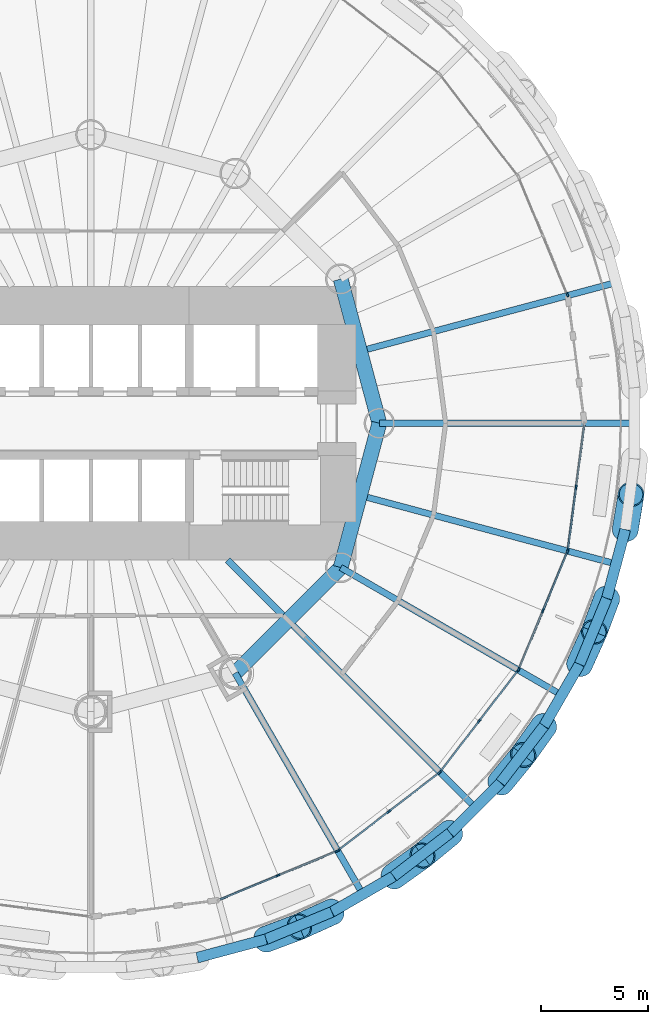
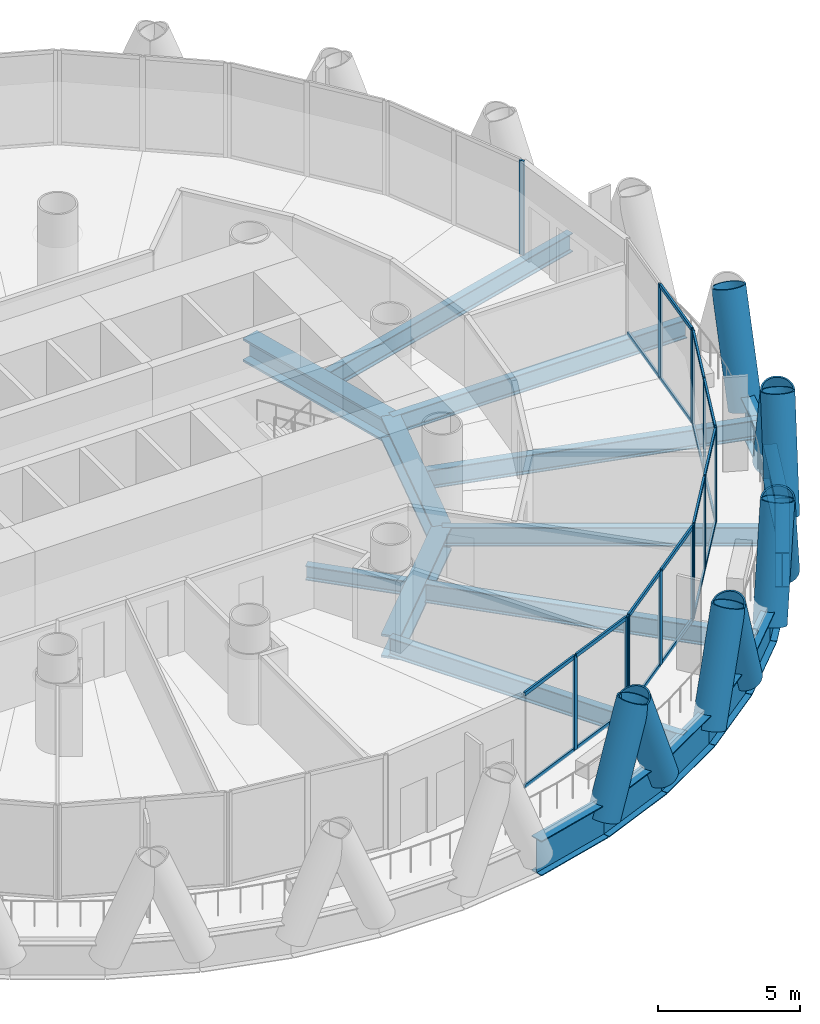
# One storey, part 4 of 16: 42 members, 19 beams, 6 elements without a shape of their own.
"""IFC4 building model written with IfcOpenShell, lengths in metres."""

from ifc_helpers import new_model, si_unit, direction, frame, origin, origin_2d, place, context, subcontext, project, spatial, rectangle, hollow_circle, i_section, extrude, material, material_profile, profile_set, type_object, element, aggregate, save


model = new_model("IFC4")

# Units and contexts
model_context = context("Model", 3, precision=1e-05, world=origin(), true_north=direction((0.0, 1.0)))
body_context = subcontext(model_context, "Body", "Model", "MODEL_VIEW")
ifc_project = project(units=[si_unit("LENGTHUNIT", "METRE"), si_unit("AREAUNIT", "SQUARE_METRE"), si_unit("VOLUMEUNIT", "CUBIC_METRE"), si_unit("PLANEANGLEUNIT", "RADIAN"), si_unit("MASSUNIT", "GRAM", prefix="KILO")], contexts=[model_context])

# Site, building, storey
site_placement = place(None, origin())
site = spatial("IfcSite", under=ifc_project, at=site_placement, CompositionType="ELEMENT")
building_placement = place(site_placement, origin())
building = spatial("IfcBuilding", under=site, at=building_placement, Name="Qaws Media Tower", CompositionType="ELEMENT")
storey_placement = place(building_placement, frame((0.0, 0.0, 80.60009765625)))
storey = spatial("IfcBuildingStorey", under=building, at=storey_placement, Name="L17", CompositionType="ELEMENT", Elevation=80.60009765625)

# Curtain wall, member
ifc_material_1 = material(Name="Aluminium and clear glass", Category="aluminium")
curtain_wall_type = type_object("IfcCurtainWallType", Name="Unitised curtain wall CW-A", PredefinedType="NOTDEFINED", material=ifc_material_1)
curtain_wall_1_placement = place(storey_placement, origin())
curtain_wall_1 = element("IfcCurtainWall", 1, at=curtain_wall_1_placement, inside=storey, type_object=curtain_wall_type, Name="CWA curtain wall L17-02", PredefinedType="NOTDEFINED")
ifc_material_2 = material(Name="Aluminium mullion", Category="aluminium")
ifc_material_profile_1 = material_profile(ifc_material_2, rectangle(XDim=0.080078125, YDim=0.199951171875, at=origin_2d()), Name="80x200")
ifc_profile_set_1 = profile_set([ifc_material_profile_1], Name="Aluminium mullion")
member_type_1 = type_object("IfcMemberType", Name="Curtain wall mullion 80x200", PredefinedType="MULLION", material=ifc_profile_set_1)
member_1_placement = place(storey_placement, frame((82.297607421875, 56.015625, 0.0), z_axis=(0.0, 0.0, 1.0), x_axis=(-0.923879517022, -0.382683469758, 0.0)))
member_1 = element("IfcMember", 2, at=member_1_placement, type_object=member_type_1, Name="CWA mullion 1", PredefinedType="MULLION", context=body_context, shape_type="SweptSolid", body=[
    extrude(rectangle(XDim=0.080078125, YDim=0.199951171875, at=origin_2d()), origin(), (0.0, 0.0, 1.0), 4.039794921875),
])
aggregate(curtain_wall_1, [member_1])

# Curtain wall, members
curtain_wall_2_placement = place(storey_placement, origin())
curtain_wall_2 = element("IfcCurtainWall", 3, at=curtain_wall_2_placement, inside=storey, type_object=curtain_wall_type, Name="CWA curtain wall L17-20", PredefinedType="NOTDEFINED")
member_2_placement = place(storey_placement, frame((68.764404296875, 28.841064453125, 0.0), z_axis=(0.0, 0.0, 1.0), x_axis=(-0.382683469758, 0.923879517022, 0.0)))
member_2 = element("IfcMember", 4, at=member_2_placement, type_object=member_type_1, Name="CWA mullion 2", PredefinedType="MULLION", context=body_context, shape_type="SweptSolid", body=[
    extrude(rectangle(XDim=0.080078125, YDim=0.199951171875, at=origin_2d()), origin(), (0.0, 0.0, 1.0), 4.039794921875),
])
member_3_placement = place(storey_placement, frame((71.512939453125, 29.9794921875, 0.0), z_axis=(0.0, 0.0, 1.0), x_axis=(-0.382683469758, 0.923879517022, 0.0)))
member_3 = element("IfcMember", 5, at=member_3_placement, type_object=member_type_1, Name="CWA mullion 3", PredefinedType="MULLION", context=body_context, shape_type="SweptSolid", body=[
    extrude(rectangle(XDim=0.080078125, YDim=0.199951171875, at=origin_2d()), origin(), (0.0, 0.0, 1.0), 4.039794921875),
])

curtain_wall_3_placement = place(storey_placement, origin())
curtain_wall_3 = element("IfcCurtainWall", 6, at=curtain_wall_3_placement, inside=storey, type_object=curtain_wall_type, Name="CWA curtain wall L17-21", PredefinedType="NOTDEFINED")
member_4_placement = place(storey_placement, frame((71.581787109375, 30.01904296875, 0.0), z_axis=(0.0, 0.0, 1.0), x_axis=(-0.608761381612, 0.79335337666, 0.0)))
member_4 = element("IfcMember", 7, at=member_4_placement, type_object=member_type_1, Name="CWA mullion 1", PredefinedType="MULLION", context=body_context, shape_type="SweptSolid", body=[
    extrude(rectangle(XDim=0.080078125, YDim=0.199951171875, at=origin_2d()), origin(), (0.0, 0.0, 1.0), 4.039794921875),
])
member_5_placement = place(storey_placement, frame((73.942138671875, 31.830322265625, 0.0), z_axis=(0.0, 0.0, 1.0), x_axis=(-0.608761381612, 0.79335337666, 0.0)))
member_5 = element("IfcMember", 8, at=member_5_placement, type_object=member_type_1, Name="CWA mullion 2", PredefinedType="MULLION", context=body_context, shape_type="SweptSolid", body=[
    extrude(rectangle(XDim=0.080078125, YDim=0.199951171875, at=origin_2d()), origin(), (0.0, 0.0, 1.0), 4.039794921875),
])
member_6_placement = place(storey_placement, frame((76.302490234375, 33.6416015625, 0.0), z_axis=(0.0, 0.0, 1.0), x_axis=(-0.608761381612, 0.79335337666, 0.0)))
member_6 = element("IfcMember", 9, at=member_6_placement, type_object=member_type_1, Name="CWA mullion 3", PredefinedType="MULLION", context=body_context, shape_type="SweptSolid", body=[
    extrude(rectangle(XDim=0.080078125, YDim=0.199951171875, at=origin_2d()), origin(), (0.0, 0.0, 1.0), 4.039794921875),
])

curtain_wall_4_placement = place(storey_placement, origin())
curtain_wall_4 = element("IfcCurtainWall", 10, at=curtain_wall_4_placement, inside=storey, type_object=curtain_wall_type, Name="CWA curtain wall L17-22", PredefinedType="NOTDEFINED")
member_7_placement = place(storey_placement, frame((76.3583984375, 33.697509765625, 0.0), z_axis=(0.0, 0.0, 1.0), x_axis=(-0.79335337666, 0.608761381612, 0.0)))
member_7 = element("IfcMember", 11, at=member_7_placement, type_object=member_type_1, Name="CWA mullion 1", PredefinedType="MULLION", context=body_context, shape_type="SweptSolid", body=[
    extrude(rectangle(XDim=0.080078125, YDim=0.199951171875, at=origin_2d()), origin(), (0.0, 0.0, 1.0), 4.039794921875),
])
member_8_placement = place(storey_placement, frame((78.169677734375, 36.057861328125, 0.0), z_axis=(0.0, 0.0, 1.0), x_axis=(-0.79335337666, 0.608761381612, 0.0)))
member_8 = element("IfcMember", 12, at=member_8_placement, type_object=member_type_1, Name="CWA mullion 2", PredefinedType="MULLION", context=body_context, shape_type="SweptSolid", body=[
    extrude(rectangle(XDim=0.080078125, YDim=0.199951171875, at=origin_2d()), origin(), (0.0, 0.0, 1.0), 4.039794921875),
])
member_9_placement = place(storey_placement, frame((79.98095703125, 38.418212890625, 0.0), z_axis=(0.0, 0.0, 1.0), x_axis=(-0.79335337666, 0.608761381612, 0.0)))
member_9 = element("IfcMember", 13, at=member_9_placement, type_object=member_type_1, Name="CWA mullion 3", PredefinedType="MULLION", context=body_context, shape_type="SweptSolid", body=[
    extrude(rectangle(XDim=0.080078125, YDim=0.199951171875, at=origin_2d()), origin(), (0.0, 0.0, 1.0), 4.039794921875),
])

curtain_wall_5_placement = place(storey_placement, origin())
curtain_wall_5 = element("IfcCurtainWall", 14, at=curtain_wall_5_placement, inside=storey, type_object=curtain_wall_type, Name="CWA curtain wall L17-23", PredefinedType="NOTDEFINED")
member_10_placement = place(storey_placement, frame((80.0205078125, 38.487060546875, 0.0), z_axis=(0.0, 0.0, 1.0), x_axis=(-0.923879517022, 0.382683469758, 0.0)))
member_10 = element("IfcMember", 15, at=member_10_placement, type_object=member_type_1, Name="CWA mullion 1", PredefinedType="MULLION", context=body_context, shape_type="SweptSolid", body=[
    extrude(rectangle(XDim=0.080078125, YDim=0.199951171875, at=origin_2d()), origin(), (0.0, 0.0, 1.0), 4.039794921875),
])
member_11_placement = place(storey_placement, frame((81.158935546875, 41.235595703125, 0.0), z_axis=(0.0, 0.0, 1.0), x_axis=(-0.923879517022, 0.382683469758, 0.0)))
member_11 = element("IfcMember", 16, at=member_11_placement, type_object=member_type_1, Name="CWA mullion 2", PredefinedType="MULLION", context=body_context, shape_type="SweptSolid", body=[
    extrude(rectangle(XDim=0.080078125, YDim=0.199951171875, at=origin_2d()), origin(), (0.0, 0.0, 1.0), 4.039794921875),
])
member_12_placement = place(storey_placement, frame((82.297607421875, 43.984375, 0.0), z_axis=(0.0, 0.0, 1.0), x_axis=(-0.923879517022, 0.382683469758, 0.0)))
member_12 = element("IfcMember", 17, at=member_12_placement, type_object=member_type_1, Name="CWA mullion 3", PredefinedType="MULLION", context=body_context, shape_type="SweptSolid", body=[
    extrude(rectangle(XDim=0.080078125, YDim=0.199951171875, at=origin_2d()), origin(), (0.0, 0.0, 1.0), 4.039794921875),
])

curtain_wall_6_placement = place(storey_placement, origin())
curtain_wall_6 = element("IfcCurtainWall", 18, at=curtain_wall_6_placement, inside=storey, type_object=curtain_wall_type, Name="CWA curtain wall L17-24", PredefinedType="NOTDEFINED")
member_13_placement = place(storey_placement, frame((82.318115234375, 44.06103515625, 0.0), z_axis=(0.0, 0.0, 1.0), x_axis=(-0.991444870395, 0.130526123696, 0.0)))
member_13 = element("IfcMember", 19, at=member_13_placement, type_object=member_type_1, Name="CWA mullion 1", PredefinedType="MULLION", context=body_context, shape_type="SweptSolid", body=[
    extrude(rectangle(XDim=0.080078125, YDim=0.199951171875, at=origin_2d()), origin(), (0.0, 0.0, 1.0), 4.039794921875),
])
member_14_placement = place(storey_placement, frame((82.70654296875, 47.0107421875, 0.0), z_axis=(0.0, 0.0, 1.0), x_axis=(-0.991444870395, 0.130526123696, 0.0)))
member_14 = element("IfcMember", 20, at=member_14_placement, type_object=member_type_1, Name="CWA mullion 2", PredefinedType="MULLION", context=body_context, shape_type="SweptSolid", body=[
    extrude(rectangle(XDim=0.080078125, YDim=0.199951171875, at=origin_2d()), origin(), (0.0, 0.0, 1.0), 4.039794921875),
])

# Member
ifc_material_3 = material(Name="Aluminium transom", Category="aluminium")
ifc_material_profile_2 = material_profile(ifc_material_3, rectangle(XDim=0.080078125, YDim=0.159912109375, at=origin_2d()), Name="80x160")
ifc_profile_set_2 = profile_set([ifc_material_profile_2], Name="Aluminium transom")
member_type_2 = type_object("IfcMemberType", Name="Curtain wall transom 80x160", PredefinedType="USERDEFINED", material=ifc_profile_set_2)
member_15_placement = place(storey_placement, frame((66.052734375, 27.7177734375, 0.039794921875), z_axis=(0.923870872897, 0.382704337855, 0.0), x_axis=(-0.382704337855, 0.923870872897, 0.0)))
member_15 = element("IfcMember", 21, at=member_15_placement, type_object=member_type_2, Name="CWA transom 1.1", ObjectType="TRANSOM", PredefinedType="USERDEFINED", context=body_context, shape_type="SweptSolid", body=[
    extrude(rectangle(XDim=0.080078125, YDim=0.159912109375, at=origin_2d()), origin(), (0.0, 0.0, 1.0), 2.89501953125),
])

member_16_placement = place(storey_placement, frame((66.052734375, 27.7177734375, 4.0), z_axis=(0.923870872897, 0.382704337855, 0.0), x_axis=(-0.382704337855, 0.923870872897, 0.0)))
member_16 = element("IfcMember", 22, at=member_16_placement, type_object=member_type_2, Name="CWA transom 1.2", ObjectType="TRANSOM", PredefinedType="USERDEFINED", context=body_context, shape_type="SweptSolid", body=[
    extrude(rectangle(XDim=0.080078125, YDim=0.159912109375, at=origin_2d()), origin(), (0.0, 0.0, 1.0), 2.89501953125),
])

member_17_placement = place(storey_placement, frame((68.80126953125, 28.856201171875, 0.039794921875), z_axis=(0.923883223123, 0.382674522319, 0.0), x_axis=(-0.382674522319, 0.923883223123, 0.0)))
member_17 = element("IfcMember", 23, at=member_17_placement, type_object=member_type_2, Name="CWA transom 2.1", ObjectType="TRANSOM", PredefinedType="USERDEFINED", context=body_context, shape_type="SweptSolid", body=[
    extrude(rectangle(XDim=0.080078125, YDim=0.159912109375, at=origin_2d()), origin(), (0.0, 0.0, 1.0), 2.895263671875),
])

member_18_placement = place(storey_placement, frame((68.80126953125, 28.856201171875, 4.0), z_axis=(0.923883223123, 0.382674522319, 0.0), x_axis=(-0.382674522319, 0.923883223123, 0.0)))
member_18 = element("IfcMember", 24, at=member_18_placement, type_object=member_type_2, Name="CWA transom 2.2", ObjectType="TRANSOM", PredefinedType="USERDEFINED", context=body_context, shape_type="SweptSolid", body=[
    extrude(rectangle(XDim=0.080078125, YDim=0.159912109375, at=origin_2d()), origin(), (0.0, 0.0, 1.0), 2.895263671875),
])

aggregate(curtain_wall_2, [member_2, member_3, member_15, member_16, member_17, member_18])

member_19_placement = place(storey_placement, frame((71.613525390625, 30.04345703125, 0.039794921875), z_axis=(0.793353841353, 0.608760776012, 0.0), x_axis=(-0.608760776012, 0.793353841353, 0.0)))
member_19 = element("IfcMember", 25, at=member_19_placement, type_object=member_type_2, Name="CWA transom 1.1", ObjectType="TRANSOM", PredefinedType="USERDEFINED", context=body_context, shape_type="SweptSolid", body=[
    extrude(rectangle(XDim=0.080078125, YDim=0.159912109375, at=origin_2d()), origin(), (0.0, 0.0, 1.0), 2.895263671875),
])

member_20_placement = place(storey_placement, frame((71.613525390625, 30.04345703125, 4.0), z_axis=(0.793353841353, 0.608760776012, 0.0), x_axis=(-0.608760776012, 0.793353841353, 0.0)))
member_20 = element("IfcMember", 26, at=member_20_placement, type_object=member_type_2, Name="CWA transom 1.2", ObjectType="TRANSOM", PredefinedType="USERDEFINED", context=body_context, shape_type="SweptSolid", body=[
    extrude(rectangle(XDim=0.080078125, YDim=0.159912109375, at=origin_2d()), origin(), (0.0, 0.0, 1.0), 2.895263671875),
])

member_21_placement = place(storey_placement, frame((73.973876953125, 31.854736328125, 0.039794921875), z_axis=(0.793353841353, 0.608760776012, 0.0), x_axis=(-0.608760776012, 0.793353841353, 0.0)))
member_21 = element("IfcMember", 27, at=member_21_placement, type_object=member_type_2, Name="CWA transom 2.1", ObjectType="TRANSOM", PredefinedType="USERDEFINED", context=body_context, shape_type="SweptSolid", body=[
    extrude(rectangle(XDim=0.080078125, YDim=0.159912109375, at=origin_2d()), origin(), (0.0, 0.0, 1.0), 2.895263671875),
])

member_22_placement = place(storey_placement, frame((73.973876953125, 31.854736328125, 4.0), z_axis=(0.793353841353, 0.608760776012, 0.0), x_axis=(-0.608760776012, 0.793353841353, 0.0)))
member_22 = element("IfcMember", 28, at=member_22_placement, type_object=member_type_2, Name="CWA transom 2.2", ObjectType="TRANSOM", PredefinedType="USERDEFINED", context=body_context, shape_type="SweptSolid", body=[
    extrude(rectangle(XDim=0.080078125, YDim=0.159912109375, at=origin_2d()), origin(), (0.0, 0.0, 1.0), 2.895263671875),
])

aggregate(curtain_wall_3, [member_4, member_5, member_6, member_19, member_20, member_21, member_22])

member_23_placement = place(storey_placement, frame((76.3828125, 33.729248046875, 0.039794921875), z_axis=(0.608760776012, 0.793353841353, 0.0), x_axis=(-0.793353841353, 0.608760776012, 0.0)))
member_23 = element("IfcMember", 29, at=member_23_placement, type_object=member_type_2, Name="CWA transom 1.1", ObjectType="TRANSOM", PredefinedType="USERDEFINED", context=body_context, shape_type="SweptSolid", body=[
    extrude(rectangle(XDim=0.080078125, YDim=0.159912109375, at=origin_2d()), origin(), (0.0, 0.0, 1.0), 2.895263671875),
])

member_24_placement = place(storey_placement, frame((76.3828125, 33.729248046875, 4.0), z_axis=(0.608760776012, 0.793353841353, 0.0), x_axis=(-0.793353841353, 0.608760776012, 0.0)))
member_24 = element("IfcMember", 30, at=member_24_placement, type_object=member_type_2, Name="CWA transom 1.2", ObjectType="TRANSOM", PredefinedType="USERDEFINED", context=body_context, shape_type="SweptSolid", body=[
    extrude(rectangle(XDim=0.080078125, YDim=0.159912109375, at=origin_2d()), origin(), (0.0, 0.0, 1.0), 2.895263671875),
])

member_25_placement = place(storey_placement, frame((78.194091796875, 36.089599609375, 0.039794921875), z_axis=(0.608760776012, 0.793353841353, 0.0), x_axis=(-0.793353841353, 0.608760776012, 0.0)))
member_25 = element("IfcMember", 31, at=member_25_placement, type_object=member_type_2, Name="CWA transom 2.1", ObjectType="TRANSOM", PredefinedType="USERDEFINED", context=body_context, shape_type="SweptSolid", body=[
    extrude(rectangle(XDim=0.080078125, YDim=0.159912109375, at=origin_2d()), origin(), (0.0, 0.0, 1.0), 2.895263671875),
])

member_26_placement = place(storey_placement, frame((78.194091796875, 36.089599609375, 4.0), z_axis=(0.608760776012, 0.793353841353, 0.0), x_axis=(-0.793353841353, 0.608760776012, 0.0)))
member_26 = element("IfcMember", 32, at=member_26_placement, type_object=member_type_2, Name="CWA transom 2.2", ObjectType="TRANSOM", PredefinedType="USERDEFINED", context=body_context, shape_type="SweptSolid", body=[
    extrude(rectangle(XDim=0.080078125, YDim=0.159912109375, at=origin_2d()), origin(), (0.0, 0.0, 1.0), 2.895263671875),
])

aggregate(curtain_wall_4, [member_7, member_8, member_9, member_23, member_24, member_25, member_26])

member_27_placement = place(storey_placement, frame((80.035888671875, 38.52392578125, 0.039794921875), z_axis=(0.382674522319, 0.923883223123, 0.0), x_axis=(-0.923883223123, 0.382674522319, 0.0)))
member_27 = element("IfcMember", 33, at=member_27_placement, type_object=member_type_2, Name="CWA transom 1.1", ObjectType="TRANSOM", PredefinedType="USERDEFINED", context=body_context, shape_type="SweptSolid", body=[
    extrude(rectangle(XDim=0.080078125, YDim=0.159912109375, at=origin_2d()), origin(), (0.0, 0.0, 1.0), 2.895263671875),
])

member_28_placement = place(storey_placement, frame((80.035888671875, 38.52392578125, 4.0), z_axis=(0.382674522319, 0.923883223123, 0.0), x_axis=(-0.923883223123, 0.382674522319, 0.0)))
member_28 = element("IfcMember", 34, at=member_28_placement, type_object=member_type_2, Name="CWA transom 1.2", ObjectType="TRANSOM", PredefinedType="USERDEFINED", context=body_context, shape_type="SweptSolid", body=[
    extrude(rectangle(XDim=0.080078125, YDim=0.159912109375, at=origin_2d()), origin(), (0.0, 0.0, 1.0), 2.895263671875),
])

member_29_placement = place(storey_placement, frame((81.17431640625, 41.272705078125, 0.039794921875), z_axis=(0.382704337855, 0.923870872897, 0.0), x_axis=(-0.923870872897, 0.382704337855, 0.0)))
member_29 = element("IfcMember", 35, at=member_29_placement, type_object=member_type_2, Name="CWA transom 2.1", ObjectType="TRANSOM", PredefinedType="USERDEFINED", context=body_context, shape_type="SweptSolid", body=[
    extrude(rectangle(XDim=0.080078125, YDim=0.159912109375, at=origin_2d()), origin(), (0.0, 0.0, 1.0), 2.89501953125),
])

member_30_placement = place(storey_placement, frame((81.17431640625, 41.272705078125, 4.0), z_axis=(0.382704337855, 0.923870872897, 0.0), x_axis=(-0.923870872897, 0.382704337855, 0.0)))
member_30 = element("IfcMember", 36, at=member_30_placement, type_object=member_type_2, Name="CWA transom 2.2", ObjectType="TRANSOM", PredefinedType="USERDEFINED", context=body_context, shape_type="SweptSolid", body=[
    extrude(rectangle(XDim=0.080078125, YDim=0.159912109375, at=origin_2d()), origin(), (0.0, 0.0, 1.0), 2.89501953125),
])

aggregate(curtain_wall_5, [member_10, member_11, member_12, member_27, member_28, member_29, member_30])

member_31_placement = place(storey_placement, frame((82.3232421875, 44.1005859375, 0.039794921875), z_axis=(0.130539586254, 0.991443097924, 0.0), x_axis=(-0.991443097924, 0.130539586254, 0.0)))
member_31 = element("IfcMember", 37, at=member_31_placement, type_object=member_type_2, Name="CWA transom 1.1", ObjectType="TRANSOM", PredefinedType="USERDEFINED", context=body_context, shape_type="SweptSolid", body=[
    extrude(rectangle(XDim=0.080078125, YDim=0.159912109375, at=origin_2d()), origin(), (0.0, 0.0, 1.0), 2.89501953125),
])

member_32_placement = place(storey_placement, frame((82.3232421875, 44.1005859375, 4.0), z_axis=(0.130539586254, 0.991443097924, 0.0), x_axis=(-0.991443097924, 0.130539586254, 0.0)))
member_32 = element("IfcMember", 38, at=member_32_placement, type_object=member_type_2, Name="CWA transom 1.2", ObjectType="TRANSOM", PredefinedType="USERDEFINED", context=body_context, shape_type="SweptSolid", body=[
    extrude(rectangle(XDim=0.080078125, YDim=0.159912109375, at=origin_2d()), origin(), (0.0, 0.0, 1.0), 2.89501953125),
])

member_33_placement = place(storey_placement, frame((82.711669921875, 47.05029296875, 0.039794921875), z_axis=(0.130539586254, 0.991443097924, 0.0), x_axis=(-0.991443097924, 0.130539586254, 0.0)))
member_33 = element("IfcMember", 39, at=member_33_placement, type_object=member_type_2, Name="CWA transom 2.1", ObjectType="TRANSOM", PredefinedType="USERDEFINED", context=body_context, shape_type="SweptSolid", body=[
    extrude(rectangle(XDim=0.080078125, YDim=0.159912109375, at=origin_2d()), origin(), (0.0, 0.0, 1.0), 2.89501953125),
])

aggregate(curtain_wall_6, [member_13, member_14, member_31, member_32, member_33])

# Members
ifc_material_4 = material(Name="Steel S460", Category="steel")
ifc_material_profile_3 = material_profile(ifc_material_4, hollow_circle(Radius=0.609619140625, WallThickness=0.06005859375, at=origin_2d()), Name="CHS 1219x60")
ifc_profile_set_3 = profile_set([ifc_material_profile_3], Name="Steel S460")
member_type_3 = type_object("IfcMemberType", Name="Diagrid member CHS 1219x60", PredefinedType="USERDEFINED", material=ifc_profile_set_3)
for number, where, z_axis, x_axis, name in (
    (40, (68.19677734375, 25.853271484375, -0.91015625), (0.345575198072, 0.130083644983, 0.929330957079), (-0.352293577831, 0.935889542104, 0.0), "DG1 diagrid L17 A20"),
    (41, (74.1669921875, 28.797607421875, -0.91015625), (0.300144289115, 0.215060189879, 0.92933445026), (-0.582441610949, 0.812872542183, 0.0), "DG1 diagrid L17 A21"),
    (42, (71.2783203125, 27.129638671875, -0.91015625), (-0.336291874755, -0.152344270974, 0.92935407573), (0.412645014816, -0.910891921003, 0.0), "DG1 diagrid L17 B21"),
    (43, (79.171875, 33.186767578125, -0.91015625), (0.234240101524, 0.285399090487, 0.929343281025), (-0.772985056238, 0.634424229386, 0.0), "DG1 diagrid L17 A22"),
    (44, (76.813232421875, 30.828125, -0.91015625), (-0.285399090487, -0.234240101524, 0.929343281025), (0.634424229386, -0.772985056238, 0.0), "DG1 diagrid L17 B22"),
    (45, (82.870361328125, 38.7216796875, -0.91015625), (0.152344270974, 0.336291874755, 0.92935407573), (-0.910891921003, 0.412645014816, 0.0), "DG1 diagrid L17 A23"),
    (46, (81.202392578125, 35.8330078125, -0.91015625), (-0.215060189879, -0.300144289115, 0.92933445026), (0.812872542183, -0.582441610949, 0.0), "DG1 diagrid L17 B23"),
    (47, (85.010009765625, 45.025146484375, -0.91015625), (0.060125850438, 0.364320516937, 0.929330642478), (-0.986653650306, 0.16283296453, 0.0), "DG1 diagrid L17 A24"),
    (48, (84.146728515625, 41.80322265625, -0.91015625), (-0.130083644983, -0.345575198072, 0.929330957079), (0.935889542104, -0.352293577831, 0.0), "DG1 diagrid L17 B24"),
):
    element("IfcMember", number, at=place(storey_placement, frame(where, z_axis=z_axis, x_axis=x_axis)), inside=storey, type_object=member_type_3, Name=name, ObjectType="DIAGRID", PredefinedType="USERDEFINED", context=body_context, shape_type="SweptSolid", body=[
        extrude(hollow_circle(Radius=0.609619140625, WallThickness=0.06005859375, at=origin_2d()), origin(), (0.0, 0.0, 1.0), 4.519287109375),
    ])

# Beams
ifc_material_5 = material(Name="Steel S460", Category="steel")
ifc_material_profile_4 = material_profile(ifc_material_5, i_section(OverallWidth=0.5, OverallDepth=1.5, WebThickness=0.02001953125, FlangeThickness=0.0400390625, at=origin_2d()), Name="PG 1500x500")
ifc_profile_set_4 = profile_set([ifc_material_profile_4], Name="Steel S460")
beam_type_1 = type_object("IfcBeamType", Name="Edge ring beam PG 1500x500", PredefinedType="BEAM", material=ifc_profile_set_4)
beam_1_placement = place(storey_placement, frame((64.974853515625, 24.989990234375, -0.91015625), z_axis=(0.965928122545, 0.258810475208, 0.0), x_axis=(-0.258810475208, 0.965928122545, 0.0)))
element("IfcBeam", 49, at=beam_1_placement, inside=storey, type_object=beam_type_1, Name="RB4 edge ring beam L17-38", PredefinedType="BEAM", context=body_context, shape_type="SweptSolid", body=[
    extrude(i_section(OverallWidth=0.5, OverallDepth=1.5, WebThickness=0.02001953125, FlangeThickness=0.0400390625, at=origin_2d()), origin(), (0.0, 0.0, 1.0), 3.335693359375),
])
beam_2_placement = place(storey_placement, frame((68.19677734375, 25.853271484375, -0.91015625), z_axis=(0.923884800947, 0.382670712989, 0.0), x_axis=(-0.382670712989, 0.923884800947, 0.0)))
element("IfcBeam", 50, at=beam_2_placement, inside=storey, type_object=beam_type_1, Name="RB4 edge ring beam L17-39", PredefinedType="BEAM", context=body_context, shape_type="SweptSolid", body=[
    extrude(i_section(OverallWidth=0.5, OverallDepth=1.5, WebThickness=0.02001953125, FlangeThickness=0.0400390625, at=origin_2d()), origin(), (0.0, 0.0, 1.0), 3.33544921875),
])
beam_3_placement = place(storey_placement, frame((71.2783203125, 27.129638671875, -0.91015625), z_axis=(0.866000314205, 0.500043453909, 0.0), x_axis=(-0.500043453909, 0.866000314205, 0.0)))
element("IfcBeam", 51, at=beam_3_placement, inside=storey, type_object=beam_type_1, Name="RB4 edge ring beam L17-40", PredefinedType="BEAM", context=body_context, shape_type="SweptSolid", body=[
    extrude(i_section(OverallWidth=0.5, OverallDepth=1.5, WebThickness=0.02001953125, FlangeThickness=0.0400390625, at=origin_2d()), origin(), (0.0, 0.0, 1.0), 3.335693359375),
])
beam_4_placement = place(storey_placement, frame((74.1669921875, 28.797607421875, -0.91015625), z_axis=(0.793355363123, 0.608758792794, 0.0), x_axis=(-0.608758792794, 0.793355363123, 0.0)))
element("IfcBeam", 52, at=beam_4_placement, inside=storey, type_object=beam_type_1, Name="RB4 edge ring beam L17-41", PredefinedType="BEAM", context=body_context, shape_type="SweptSolid", body=[
    extrude(i_section(OverallWidth=0.5, OverallDepth=1.5, WebThickness=0.02001953125, FlangeThickness=0.0400390625, at=origin_2d()), origin(), (0.0, 0.0, 1.0), 3.33544921875),
])
beam_5_placement = place(storey_placement, frame((76.813232421875, 30.828125, -0.91015625), z_axis=(0.707106781187, 0.707106781187, 0.0), x_axis=(-0.707106781187, 0.707106781187, 0.0)))
element("IfcBeam", 53, at=beam_5_placement, inside=storey, type_object=beam_type_1, Name="RB4 edge ring beam L17-42", PredefinedType="BEAM", context=body_context, shape_type="SweptSolid", body=[
    extrude(i_section(OverallWidth=0.5, OverallDepth=1.5, WebThickness=0.02001953125, FlangeThickness=0.0400390625, at=origin_2d()), origin(), (0.0, 0.0, 1.0), 3.335693359375),
])
beam_6_placement = place(storey_placement, frame((79.171875, 33.186767578125, -0.91015625), z_axis=(0.608758792794, 0.793355363123, 0.0), x_axis=(-0.793355363123, 0.608758792794, 0.0)))
element("IfcBeam", 54, at=beam_6_placement, inside=storey, type_object=beam_type_1, Name="RB4 edge ring beam L17-43", PredefinedType="BEAM", context=body_context, shape_type="SweptSolid", body=[
    extrude(i_section(OverallWidth=0.5, OverallDepth=1.5, WebThickness=0.02001953125, FlangeThickness=0.0400390625, at=origin_2d()), origin(), (0.0, 0.0, 1.0), 3.33544921875),
])
beam_7_placement = place(storey_placement, frame((81.202392578125, 35.8330078125, -0.91015625), z_axis=(0.500043453909, 0.866000314205, 0.0), x_axis=(-0.866000314205, 0.500043453909, 0.0)))
element("IfcBeam", 55, at=beam_7_placement, inside=storey, type_object=beam_type_1, Name="RB4 edge ring beam L17-44", PredefinedType="BEAM", context=body_context, shape_type="SweptSolid", body=[
    extrude(i_section(OverallWidth=0.5, OverallDepth=1.5, WebThickness=0.02001953125, FlangeThickness=0.0400390625, at=origin_2d()), origin(), (0.0, 0.0, 1.0), 3.335693359375),
])
beam_8_placement = place(storey_placement, frame((82.870361328125, 38.7216796875, -0.91015625), z_axis=(0.382670712989, 0.923884800947, 0.0), x_axis=(-0.923884800947, 0.382670712989, 0.0)))
element("IfcBeam", 56, at=beam_8_placement, inside=storey, type_object=beam_type_1, Name="RB4 edge ring beam L17-45", PredefinedType="BEAM", context=body_context, shape_type="SweptSolid", body=[
    extrude(i_section(OverallWidth=0.5, OverallDepth=1.5, WebThickness=0.02001953125, FlangeThickness=0.0400390625, at=origin_2d()), origin(), (0.0, 0.0, 1.0), 3.33544921875),
])
beam_9_placement = place(storey_placement, frame((84.146728515625, 41.80322265625, -0.91015625), z_axis=(0.258810475208, 0.965928122545, 0.0), x_axis=(-0.965928122545, 0.258810475208, 0.0)))
element("IfcBeam", 57, at=beam_9_placement, inside=storey, type_object=beam_type_1, Name="RB4 edge ring beam L17-46", PredefinedType="BEAM", context=body_context, shape_type="SweptSolid", body=[
    extrude(i_section(OverallWidth=0.5, OverallDepth=1.5, WebThickness=0.02001953125, FlangeThickness=0.0400390625, at=origin_2d()), origin(), (0.0, 0.0, 1.0), 3.335693359375),
])
ifc_material_6 = material(Name="Steel S460", Category="steel")
ifc_material_profile_5 = material_profile(ifc_material_6, i_section(OverallWidth=0.699951171875, OverallDepth=1.0, WebThickness=0.034912109375, FlangeThickness=0.090087890625, at=origin_2d()), Name="PG 1000x700")
ifc_profile_set_5 = profile_set([ifc_material_profile_5], Name="Steel S460")
beam_type_2 = type_object("IfcBeamType", Name="Inner ring girder PG 1000x700", PredefinedType="BEAM", material=ifc_profile_set_5)
beam_10_placement = place(storey_placement, frame((73.5, 50.0, -0.66015625), z_axis=(-0.258810593767, 0.965928090778, 0.0), x_axis=(-0.965928090778, -0.258810593767, 0.0)))
element("IfcBeam", 58, at=beam_10_placement, inside=storey, type_object=beam_type_2, Name="B3 inner ring beam L17 I01-I02", PredefinedType="BEAM", context=body_context, shape_type="SweptSolid", body=[
    extrude(i_section(OverallWidth=0.699951171875, OverallDepth=1.0, WebThickness=0.034912109375, FlangeThickness=0.090087890625, at=origin_2d()), origin(), (0.0, 0.0, 1.0), 6.988037109375),
])
beam_11_placement = place(storey_placement, frame((66.75, 38.30859375, -0.66015625), z_axis=(0.707106781187, 0.707106781187, 0.0), x_axis=(-0.707106781187, 0.707106781187, 0.0)))
element("IfcBeam", 59, at=beam_11_placement, inside=storey, type_object=beam_type_2, Name="B3 inner ring beam L17 I11-I12", PredefinedType="BEAM", context=body_context, shape_type="SweptSolid", body=[
    extrude(i_section(OverallWidth=0.699951171875, OverallDepth=1.0, WebThickness=0.034912109375, FlangeThickness=0.090087890625, at=origin_2d()), origin(), (0.0, 0.0, 1.0), 6.98828125),
])
beam_12_placement = place(storey_placement, frame((71.69140625, 43.25, -0.66015625), z_axis=(0.258810593767, 0.965928090778, 0.0), x_axis=(-0.965928090778, 0.258810593767, 0.0)))
element("IfcBeam", 60, at=beam_12_placement, inside=storey, type_object=beam_type_2, Name="B3 inner ring beam L17 I12-I01", PredefinedType="BEAM", context=body_context, shape_type="SweptSolid", body=[
    extrude(i_section(OverallWidth=0.699951171875, OverallDepth=1.0, WebThickness=0.034912109375, FlangeThickness=0.090087890625, at=origin_2d()), origin(), (0.0, 0.0, 1.0), 6.988037109375),
])
ifc_material_7 = material(Name="Steel S355", Category="steel")
ifc_material_profile_6 = material_profile(ifc_material_7, i_section(OverallWidth=0.304931640625, OverallDepth=0.6201171875, WebThickness=0.02099609375, FlangeThickness=0.0400390625, FilletRadius=0.027099609375, at=origin_2d()), Name="HE 600 M")
ifc_profile_set_6 = profile_set([ifc_material_profile_6], Name="Steel S355")
beam_type_3 = type_object("IfcBeamType", Name="Radial beam HE 600 M, core side", PredefinedType="BEAM", material=ifc_profile_set_6)
beam_13_placement = place(storey_placement, frame((66.39990234375, 43.60009765625, -0.47021484375), z_axis=(0.707106781187, -0.707106781187, 0.0), x_axis=(0.707106781187, 0.707106781187, 0.0)))
element("IfcBeam", 61, at=beam_13_placement, inside=storey, type_object=beam_type_3, Name="B2 radial beam L17 22", PredefinedType="BEAM", context=body_context, shape_type="SweptSolid", body=[
    extrude(i_section(OverallWidth=0.304931640625, OverallDepth=0.6201171875, WebThickness=0.02099609375, FlangeThickness=0.0400390625, FilletRadius=0.027099609375, at=origin_2d()), origin(), (0.0, 0.0, 1.0), 3.63916015625),
])
ifc_material_8 = material(Name="Steel S355", Category="steel")
ifc_material_profile_7 = material_profile(ifc_material_8, i_section(OverallWidth=0.300048828125, OverallDepth=0.800048828125, WebThickness=0.017578125, FlangeThickness=0.032958984375, FilletRadius=0.030029296875, at=origin_2d()), Name="HE 800 B")
ifc_profile_set_7 = profile_set([ifc_material_profile_7], Name="Steel S355")
beam_type_4 = type_object("IfcBeamType", Name="Radial beam HE 800 B", PredefinedType="BEAM", material=ifc_profile_set_7)
beam_14_placement = place(storey_placement, frame((73.5, 50.0, -0.56005859375), z_axis=(1.0, 0.0, 0.0), x_axis=(0.0, 1.0, 0.0)))
element("IfcBeam", 62, at=beam_14_placement, inside=storey, type_object=beam_type_4, Name="B1 radial beam L17 01", PredefinedType="BEAM", context=body_context, shape_type="SweptSolid", body=[
    extrude(i_section(OverallWidth=0.300048828125, OverallDepth=0.800048828125, WebThickness=0.017578125, FlangeThickness=0.032958984375, FilletRadius=0.030029296875, at=origin_2d()), origin(), (0.0, 0.0, 1.0), 11.9453125),
])
beam_15_placement = place(storey_placement, frame((72.933837890625, 53.465576171875, -0.56005859375), z_axis=(0.965926356286, 0.25881706712, 0.0), x_axis=(-0.25881706712, 0.965926356286, 0.0)))
element("IfcBeam", 63, at=beam_15_placement, inside=storey, type_object=beam_type_4, Name="B1 radial beam L17 02", PredefinedType="BEAM", context=body_context, shape_type="SweptSolid", body=[
    extrude(i_section(OverallWidth=0.300048828125, OverallDepth=0.800048828125, WebThickness=0.017578125, FlangeThickness=0.032958984375, FilletRadius=0.030029296875, at=origin_2d()), origin(), (0.0, 0.0, 1.0), 12.055419921875),
])
beam_16_placement = place(storey_placement, frame((66.75, 38.30859375, -0.56005859375), z_axis=(0.499999034966, -0.866025960947, 0.0), x_axis=(0.866025960947, 0.499999034966, 0.0)))
element("IfcBeam", 64, at=beam_16_placement, inside=storey, type_object=beam_type_4, Name="B1 radial beam L17 21", PredefinedType="BEAM", context=body_context, shape_type="SweptSolid", body=[
    extrude(i_section(OverallWidth=0.300048828125, OverallDepth=0.800048828125, WebThickness=0.017578125, FlangeThickness=0.032958984375, FilletRadius=0.030029296875, at=origin_2d()), origin(), (0.0, 0.0, 1.0), 11.9453125),
])
beam_17_placement = place(storey_placement, frame((69.46826171875, 40.53173828125, -0.56005859375), z_axis=(0.707106781187, -0.707106781187, 0.0), x_axis=(0.707106781187, 0.707106781187, 0.0)))
element("IfcBeam", 65, at=beam_17_placement, inside=storey, type_object=beam_type_4, Name="B1 radial beam L17 22", PredefinedType="BEAM", context=body_context, shape_type="SweptSolid", body=[
    extrude(i_section(OverallWidth=0.300048828125, OverallDepth=0.800048828125, WebThickness=0.017578125, FlangeThickness=0.032958984375, FilletRadius=0.030029296875, at=origin_2d()), origin(), (0.0, 0.0, 1.0), 12.055419921875),
])
beam_18_placement = place(storey_placement, frame((71.69140625, 43.25, -0.56005859375), z_axis=(0.866025960947, -0.499999034966, 0.0), x_axis=(0.499999034966, 0.866025960947, 0.0)))
element("IfcBeam", 66, at=beam_18_placement, inside=storey, type_object=beam_type_4, Name="B1 radial beam L17 23", PredefinedType="BEAM", context=body_context, shape_type="SweptSolid", body=[
    extrude(i_section(OverallWidth=0.300048828125, OverallDepth=0.800048828125, WebThickness=0.017578125, FlangeThickness=0.032958984375, FilletRadius=0.030029296875, at=origin_2d()), origin(), (0.0, 0.0, 1.0), 11.9453125),
])
beam_19_placement = place(storey_placement, frame((72.933837890625, 46.534423828125, -0.56005859375), z_axis=(0.965926356286, -0.25881706712, 0.0), x_axis=(0.25881706712, 0.965926356286, 0.0)))
element("IfcBeam", 67, at=beam_19_placement, inside=storey, type_object=beam_type_4, Name="B1 radial beam L17 24", PredefinedType="BEAM", context=body_context, shape_type="SweptSolid", body=[
    extrude(i_section(OverallWidth=0.300048828125, OverallDepth=0.800048828125, WebThickness=0.017578125, FlangeThickness=0.032958984375, FilletRadius=0.030029296875, at=origin_2d()), origin(), (0.0, 0.0, 1.0), 12.055419921875),
])

save(model, "model.ifc")
